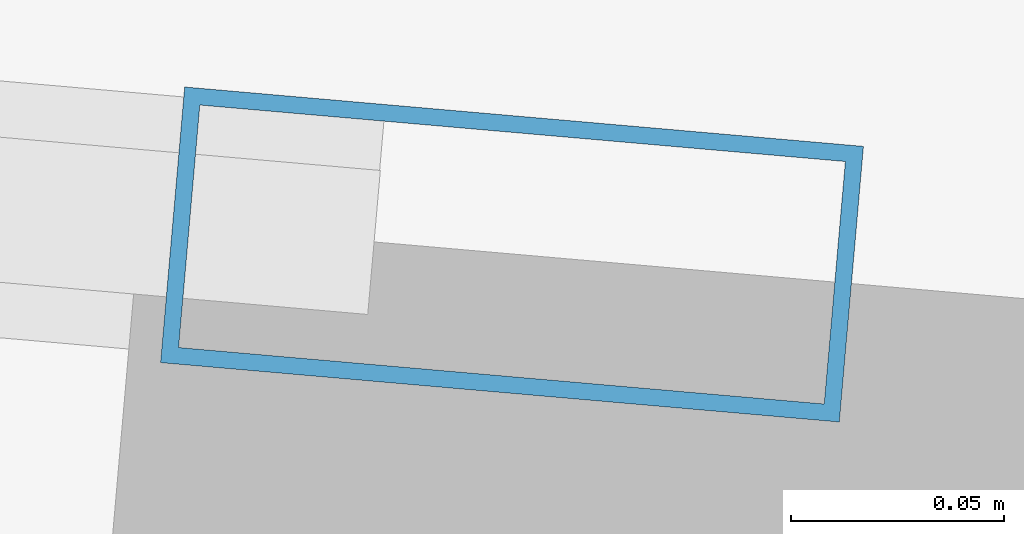
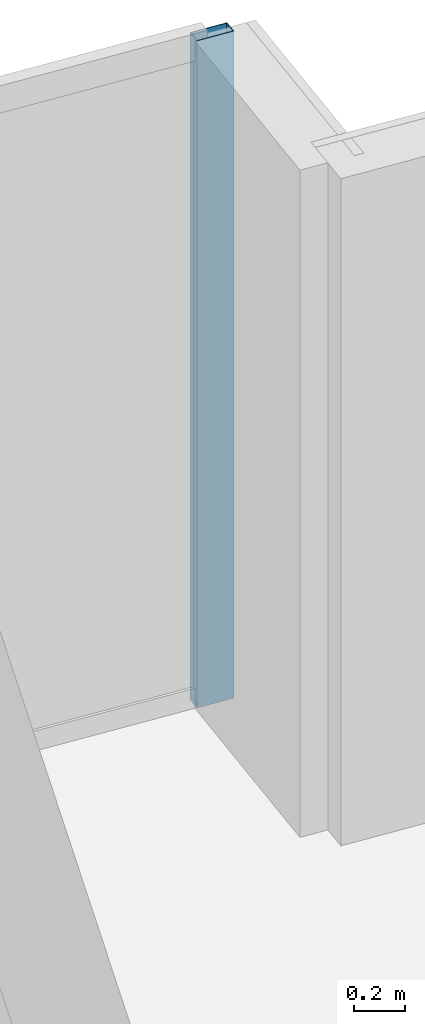
# One storey, part 22 of 32: 1 member, 1 element without a shape of its own.
"""IFC4 building model written with IfcOpenShell, lengths in metres."""

import ifcopenshell
import ifcopenshell.guid

model = None  # the IFC model being written
_history = None  # IfcOwnerHistory: only IFC2X3 demands one
_inside = {}  # id of a spatial element -> (the spatial element, [elements in it])
_under = {}  # id of a project, library or spatial element -> (it, [spatial elements below it])
_declared = {}  # id of a project -> (the project, [libraries it declares])
_typed = {}  # id of a type object -> (the type object, [elements of that type])
_made_of = {}  # id of a material, layer set ... -> (it, [elements and type objects made of it])


def new_model(schema):
    """Start an empty IFC model of exactly this schema.

    Asked for "IFC4X3", IfcOpenShell would pick the latest addendum, in which some entities
    have other attributes; the version numbers below select the first issue.
    IFC2X3 requires an IfcOwnerHistory on every rooted entity: one is made here for all.
    """
    global model, _history
    if schema == "IFC4X3":
        model = ifcopenshell.file(schema_version=(4, 3, 0, 0))
    else:
        model = ifcopenshell.file(schema=schema)
    _inside.clear()
    _under.clear()
    _declared.clear()
    _typed.clear()
    _made_of.clear()
    _history = None
    if model.schema == "IFC2X3":
        org = make("IfcOrganization", Name="unknown")
        user = make(
            "IfcPersonAndOrganization",
            ThePerson=make("IfcPerson", FamilyName="unknown"),
            TheOrganization=org,
        )
        app = make(
            "IfcApplication",
            ApplicationDeveloper=org,
            Version="unknown",
            ApplicationFullName="unknown",
            ApplicationIdentifier="unknown",
        )
        _history = make(
            "IfcOwnerHistory",
            OwningUser=user,
            OwningApplication=app,
            ChangeAction="ADDED",
            CreationDate=0,
        )
    return model


def make(cls, **values):
    """One entity of the class cls with the attributes given. An attribute that is None is left unset."""
    return model.create_entity(
        cls, **{name: value for name, value in values.items() if value is not None}
    )


def rooted(cls, **values):
    """An entity with a GlobalId (a new one), such as an element, a storey or a relation."""
    return make(cls, GlobalId=ifcopenshell.guid.new(), OwnerHistory=_history, **values)


def si_unit(unit_type, name, prefix=None):
    """IfcSIUnit, for example si_unit("LENGTHUNIT", "METRE", prefix="MILLI")."""
    return make("IfcSIUnit", UnitType=unit_type, Prefix=prefix, Name=name)


def assignment(units):
    """IfcUnitAssignment: the units of a project."""
    return None if units is None else make("IfcUnitAssignment", Units=units)


def point(xyz):
    """IfcCartesianPoint."""
    return None if xyz is None else make("IfcCartesianPoint", Coordinates=xyz)


def direction(xyz):
    """IfcDirection."""
    return None if xyz is None else make("IfcDirection", DirectionRatios=xyz)


def frame(location, z_axis=None, x_axis=None):
    """IfcAxis2Placement3D, a coordinate frame: its origin and axes. An axis left out is left unset."""
    return make(
        "IfcAxis2Placement3D",
        Location=point(location),
        Axis=direction(z_axis),
        RefDirection=direction(x_axis),
    )


def frame_2d(location, x_axis=None):
    """IfcAxis2Placement2D, a coordinate frame in the plane: its origin and x axis."""
    return make(
        "IfcAxis2Placement2D", Location=point(location), RefDirection=direction(x_axis)
    )


def origin():
    """The frame at (0, 0, 0) with its axes left unset."""
    return frame((0.0, 0.0, 0.0))


def origin_2d():
    """The frame at (0, 0) in the plane with its x axis left unset."""
    return frame_2d((0.0, 0.0))


def place(relative_to, where):
    """IfcLocalPlacement: puts the frame where relative to a parent placement (None: the world)."""
    return make(
        "IfcLocalPlacement", PlacementRelTo=relative_to, RelativePlacement=where
    )


def context(
    kind, dimensions, precision=None, world=None, true_north=None, identifier=None
):
    """IfcGeometricRepresentationContext, for example the 3D "Model" context."""
    return make(
        "IfcGeometricRepresentationContext",
        ContextIdentifier=identifier,
        ContextType=kind,
        CoordinateSpaceDimension=dimensions,
        Precision=precision,
        WorldCoordinateSystem=world,
        TrueNorth=true_north,
    )


def subcontext(parent, identifier, kind, view, scale=None):
    """IfcGeometricRepresentationSubContext, for example "Body" below "Model"."""
    return make(
        "IfcGeometricRepresentationSubContext",
        ContextIdentifier=identifier,
        ContextType=kind,
        ParentContext=parent,
        TargetScale=scale,
        TargetView=view,
    )


def project(units=None, contexts=None):
    """IfcProject with its units and contexts."""
    return rooted(
        "IfcProject",
        Name="project",
        RepresentationContexts=contexts,
        UnitsInContext=assignment(units),
    )


def spatial(cls, under=None, at=None, **own):
    """A site, building, storey or space (cls), placed at a placement, below another one or the project."""
    s = rooted(cls, ObjectPlacement=at, **own)
    if under is not None:
        _under.setdefault(under.id(), (under, []))[1].append(s)
    return s


def profile(cls, at=None, kind="AREA", **sizes):
    """A parametric profile (cls). Its sizes go by their IFC names, for example OverallWidth=200.0."""
    return make(cls, ProfileType=kind, Position=at, **sizes)


def hollow_rectangle(**sizes):
    """IfcRectangleHollowProfileDef."""
    return profile("IfcRectangleHollowProfileDef", **sizes)


def extrude(swept, where, along, depth):
    """IfcExtrudedAreaSolid: the profile swept, set in the frame where, extruded along a direction by depth."""
    return make(
        "IfcExtrudedAreaSolid",
        SweptArea=swept,
        Position=where,
        ExtrudedDirection=direction(along),
        Depth=depth,
    )


def shape(context_of_items, identifier, shape_type, items):
    """IfcShapeRepresentation: the items that make up one representation, for example the "Body"."""
    return make(
        "IfcShapeRepresentation",
        ContextOfItems=context_of_items,
        RepresentationIdentifier=identifier,
        RepresentationType=shape_type,
        Items=items,
    )


def material(Name=None, Category=None):
    """IfcMaterial."""
    return make("IfcMaterial", Name=Name, Category=Category)


def material_profile(
    of_material, cross_section, Name=None, Category=None, Priority=None
):
    """IfcMaterialProfile: a cross section and its material."""
    return make(
        "IfcMaterialProfile",
        Name=Name,
        Material=of_material,
        Profile=cross_section,
        Priority=Priority,
        Category=Category,
    )


def profile_set(profiles, Name=None, composite=None):
    """IfcMaterialProfileSet."""
    return make(
        "IfcMaterialProfileSet",
        Name=Name,
        MaterialProfiles=profiles,
        CompositeProfile=composite,
    )


def made_of(thing, what):
    """Note that an element or type object is made of a material, layer set ...; save() writes the relation."""
    if what is not None:
        _made_of.setdefault(what.id(), (what, []))[1].append(thing)
    return thing


def type_object(cls, material=None, **own):
    """A type object (cls), such as IfcWallType, which elements share."""
    return made_of(rooted(cls, **own), material)


def element(
    cls,
    number,
    at=None,
    inside=None,
    cuts=None,
    type_object=None,
    material=None,
    context=None,
    identifier="Body",
    shape_type=None,
    held_by="IfcProductDefinitionShape",
    body=None,
    shapes=None,
    **own,
):
    """One element of the class cls, such as IfcWall. Its Tag is "e" and its number.

    at: its placement. inside: the storey or other place that contains it. cuts: it is an
    opening in that element (IfcRelVoidsElement). A single representation is given by context,
    identifier, shape_type and body (its items); several are given by shapes. held_by: the class
    of the entity that holds the representations. save() writes the other relations.
    """
    e = rooted(cls, Tag="e%d" % number, ObjectPlacement=at, **own)
    if body is not None:
        shapes = [shape(context, identifier, shape_type, body)]
    if shapes is not None:
        e.Representation = make(held_by, Representations=shapes)
    if inside is not None:
        _inside.setdefault(inside.id(), (inside, []))[1].append(e)
    if cuts is not None:
        rooted(
            "IfcRelVoidsElement", RelatingBuildingElement=cuts, RelatedOpeningElement=e
        )
    if type_object is not None:
        _typed.setdefault(type_object.id(), (type_object, []))[1].append(e)
    return made_of(e, material)


def aggregate(whole, parts):
    """IfcRelAggregates: a whole, such as a stair, and the parts it consists of."""
    return rooted("IfcRelAggregates", RelatingObject=whole, RelatedObjects=parts)


def save(model, path):
    """Write the relations noted so far, then the file.

    IfcRelAggregates (storeys below a building ...), IfcRelContainedInSpatialStructure (elements
    in a storey), IfcRelDefinesByType, IfcRelAssociatesMaterial and IfcRelDeclares: one each for
    every whole, place, type object, material and project.
    """
    for whole, parts in _under.values():
        aggregate(whole, parts)
    for where, things in _inside.values():
        rooted(
            "IfcRelContainedInSpatialStructure",
            RelatedElements=things,
            RelatingStructure=where,
        )
    for kind, things in _typed.values():
        rooted("IfcRelDefinesByType", RelatedObjects=things, RelatingType=kind)
    for what, things in _made_of.values():
        rooted("IfcRelAssociatesMaterial", RelatedObjects=things, RelatingMaterial=what)
    for by, libraries in _declared.values():
        rooted("IfcRelDeclares", RelatingContext=by, RelatedDefinitions=libraries)
    model.write(path)


model = new_model("IFC4")

# Units and contexts
model_context = context("Model", 3, precision=1e-05, world=origin(), true_north=direction((0.0, 1.0)))
body_context = subcontext(model_context, "Body", "Model", "MODEL_VIEW")
ifc_project = project(units=[si_unit("LENGTHUNIT", "METRE"), si_unit("AREAUNIT", "SQUARE_METRE"), si_unit("VOLUMEUNIT", "CUBIC_METRE"), si_unit("PLANEANGLEUNIT", "RADIAN"), si_unit("MASSUNIT", "GRAM", prefix="KILO")], contexts=[model_context])

# Site, building, storey
site_placement = place(None, origin())
site = spatial("IfcSite", under=ifc_project, at=site_placement, CompositionType="ELEMENT")
building_placement = place(site_placement, origin())
building = spatial("IfcBuilding", under=site, at=building_placement, Name="Yelkora Congress Tower", CompositionType="ELEMENT")
storey_placement = place(building_placement, frame((0.0, 0.0, 269.300048828125)))
storey = spatial("IfcBuildingStorey", under=building, at=storey_placement, Name="L75", CompositionType="ELEMENT", Elevation=269.300048828125)

# Curtain wall, member
ifc_material_1 = material(Name="Anodised aluminium and insulated glass", Category="aluminium")
curtain_wall_type = type_object("IfcCurtainWallType", Name="CW-SYS-B5", PredefinedType="NOTDEFINED", material=ifc_material_1)
curtain_wall_placement = place(storey_placement, origin())
curtain_wall = element("IfcCurtainWall", 1, at=curtain_wall_placement, inside=storey, type_object=curtain_wall_type, Name="L75 Unitised Curtain Wall 10", PredefinedType="NOTDEFINED")
ifc_material_2 = material(Name="Anodised aluminium 6063-T6", Category="aluminium")
ifc_material_profile = material_profile(ifc_material_2, hollow_rectangle(XDim=0.06494140625, YDim=0.159912109375, WallThickness=0.00390625, at=origin_2d()), Name="ALU 65x160x4")
ifc_profile_set = profile_set([ifc_material_profile], Name="Anodised aluminium 6063-T6")
member_type = type_object("IfcMemberType", Name="MEM-ML-B5", PredefinedType="MULLION", material=ifc_profile_set)
member_placement = place(storey_placement, frame((55.753662109375, 46.44580078125, 0.0), z_axis=(0.0, 0.0, 1.0), x_axis=(0.087156639893, 0.996194619601, 0.0)))
member = element("IfcMember", 2, at=member_placement, type_object=member_type, Name="CW-B5 mullion 8", PredefinedType="MULLION", context=body_context, shape_type="SweptSolid", body=[
    extrude(hollow_rectangle(XDim=0.06494140625, YDim=0.159912109375, WallThickness=0.00390625, at=origin_2d()), origin(), (0.0, 0.0, 1.0), 3.179931640625),
])
aggregate(curtain_wall, [member])

save(model, "model.ifc")
